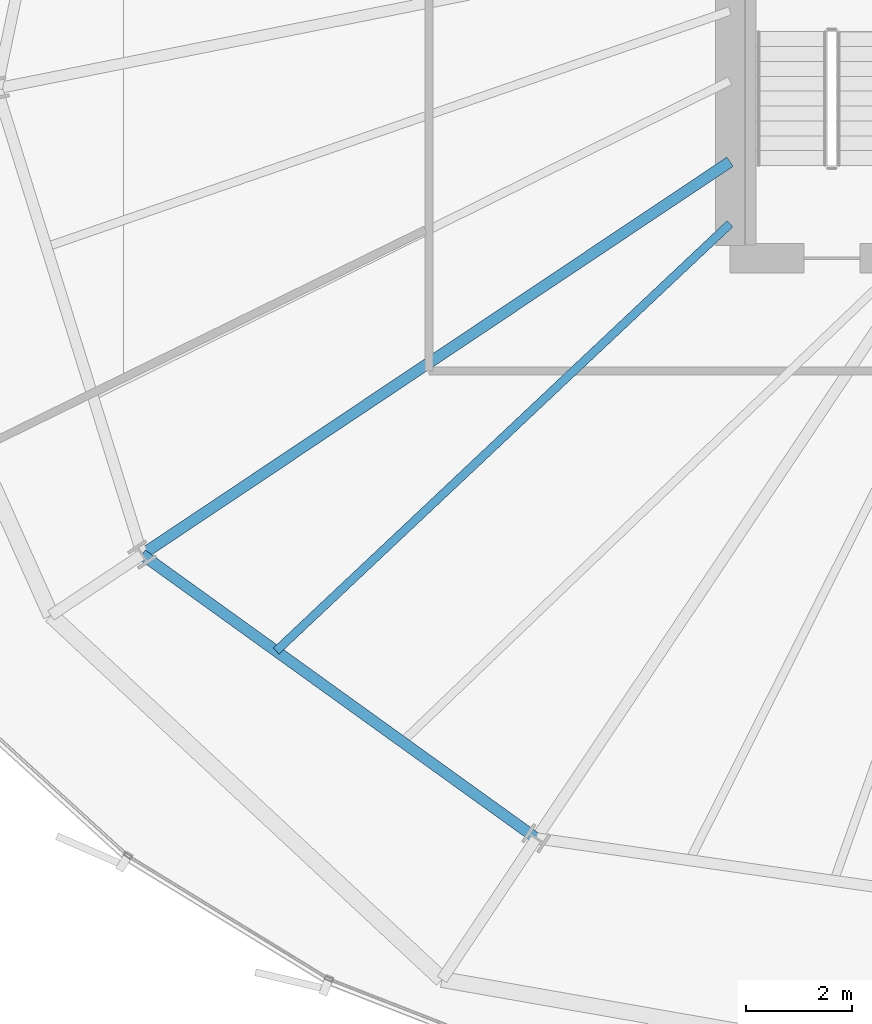
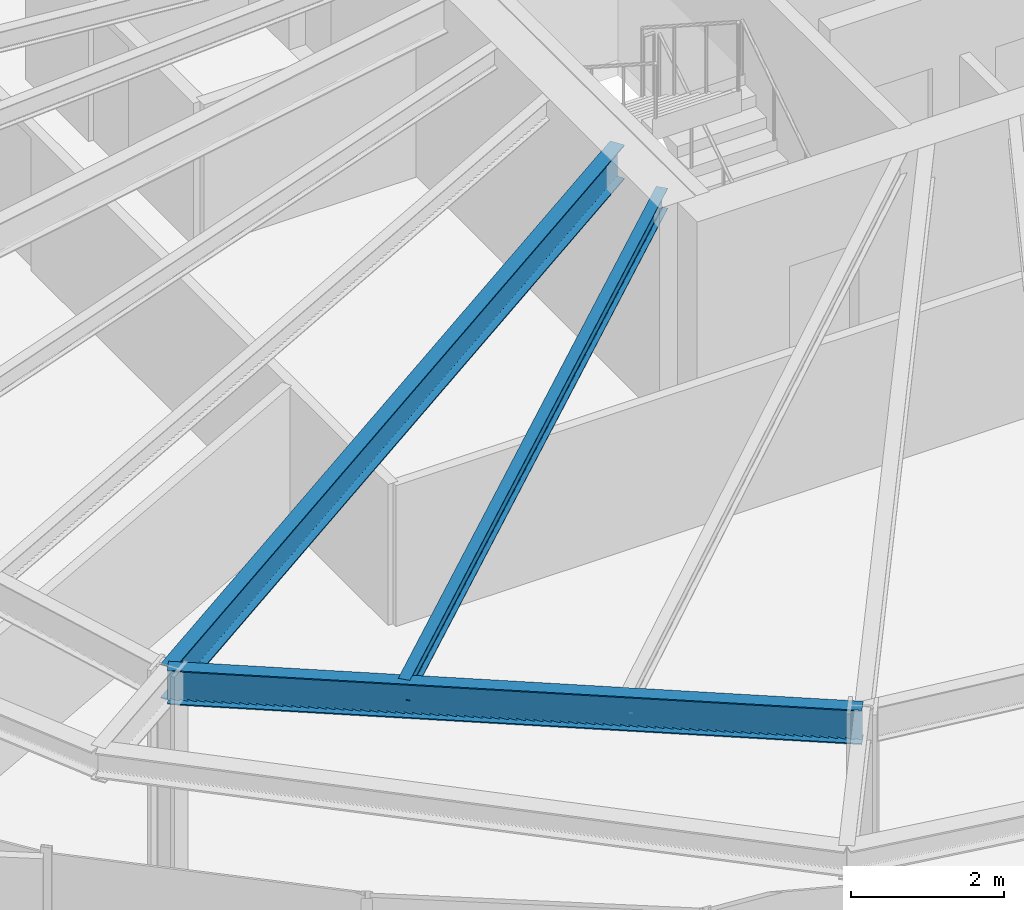
# One storey, part 4 of 35: 3 beams.
"""IFC4 building model written with IfcOpenShell, lengths in metres."""

from ifc_helpers import new_model, si_unit, direction, frame, origin, origin_2d, place, context, subcontext, project, spatial, i_section, extrude, source, transform, mapped, material, material_profile, profile_set, type_object, element, save


model = new_model("IFC4")

# Units and contexts
model_context = context("Model", 3, precision=1e-05, world=origin(), true_north=direction((0.0, 1.0)))
body_context = subcontext(model_context, "Body", "Model", "MODEL_VIEW")
ifc_project = project(units=[si_unit("LENGTHUNIT", "METRE"), si_unit("AREAUNIT", "SQUARE_METRE"), si_unit("VOLUMEUNIT", "CUBIC_METRE"), si_unit("PLANEANGLEUNIT", "RADIAN"), si_unit("MASSUNIT", "GRAM", prefix="KILO"), si_unit("THERMODYNAMICTEMPERATUREUNIT", "KELVIN")], contexts=[model_context])

# Site, building, storey
site_placement = place(None, origin())
site = spatial("IfcSite", under=ifc_project, at=site_placement, CompositionType="ELEMENT")
building_placement = place(site_placement, origin())
building = spatial("IfcBuilding", under=site, at=building_placement, Name="Kethvar Cultural Tower", CompositionType="ELEMENT")
storey_placement = place(building_placement, frame((0.0, 0.0, 107.199951171875)))
storey = spatial("IfcBuildingStorey", under=building, at=storey_placement, Name="L26", CompositionType="ELEMENT", Elevation=107.199951171875)

# Beams
ifc_material = material(Name="Steel S355J2", Category="steel")
ifc_material_profile_1 = material_profile(ifc_material, i_section(OverallWidth=0.2099609375, OverallDepth=0.550048828125, WebThickness=0.010986328125, FlangeThickness=0.01708984375, FilletRadius=0.02392578125, at=origin_2d()), Name="Steel S355J2 — IPE550")
ifc_profile_set_1 = profile_set([ifc_material_profile_1], Name="Steel S355J2 — IPE550")
beam_type_1 = type_object("IfcBeamType", Name="BM-IPE550", PredefinedType="BEAM", material=ifc_profile_set_1)
shared_shape_1 = source(origin(), body_context, "Body", "SweptSolid", [
    extrude(i_section(OverallWidth=0.2099609375, OverallDepth=0.550048828125, WebThickness=0.010986328125, FlangeThickness=0.01708984375, FilletRadius=0.02392578125, at=origin_2d()), origin(), (0.0, 0.0, 1.0), 13.324951171875),
])
beam_1_placement = place(storey_placement, frame((38.0, 21.919921875, 3.072998046875), z_axis=(-0.831474815475, -0.555562445843, 0.0), x_axis=(0.555562445843, -0.831474815475, 0.0)))
element("IfcBeam", 1, at=beam_1_placement, inside=storey, type_object=beam_type_1, Name="L26 Primary Radial Beam RB-10", PredefinedType="BEAM", context=body_context, shape_type="MappedRepresentation", body=[
    mapped(shared_shape_1, transform((0.0, 0.0, 0.0), scale=1.0)),
])
shared_shape_2 = source(origin(), body_context, "Body", "SweptSolid", [
    extrude(i_section(OverallWidth=0.2099609375, OverallDepth=0.550048828125, WebThickness=0.010986328125, FlangeThickness=0.01708984375, FilletRadius=0.02392578125, at=origin_2d()), origin(), (0.0, 0.0, 1.0), 9.155029296875),
])
beam_2_placement = place(storey_placement, frame((26.920654296875, 14.51708984375, 3.072998046875), z_axis=(0.811590987974, -0.584226042076, 0.0), x_axis=(0.584226042076, 0.811590987974, 0.0)))
element("IfcBeam", 2, at=beam_2_placement, inside=storey, type_object=beam_type_1, Name="L26 Column Ring Tie Beam CR-10", PredefinedType="BEAM", context=body_context, shape_type="MappedRepresentation", body=[
    mapped(shared_shape_2, transform((0.0, 0.0, 0.0), scale=1.0)),
])
ifc_material_profile_2 = material_profile(ifc_material, i_section(OverallWidth=0.159912109375, OverallDepth=0.330078125, WebThickness=0.007568359375, FlangeThickness=0.011474609375, FilletRadius=0.01806640625, at=origin_2d()), Name="Steel S355J2 — IPE330")
ifc_profile_set_2 = profile_set([ifc_material_profile_2], Name="Steel S355J2 — IPE330")
beam_type_2 = type_object("IfcBeamType", Name="BM-J330", PredefinedType="JOIST", material=ifc_profile_set_2)
shared_shape_3 = source(origin(), body_context, "Body", "SweptSolid", [
    extrude(i_section(OverallWidth=0.159912109375, OverallDepth=0.330078125, WebThickness=0.007568359375, FlangeThickness=0.011474609375, FilletRadius=0.01806640625, at=origin_2d()), origin(), (0.0, 0.0, 1.0), 11.74658203125),
])
beam_3_placement = place(storey_placement, frame((38.0, 20.75, 3.18310546875), z_axis=(-0.728129818661, -0.685439251266, 0.0), x_axis=(0.685439251266, -0.728129818661, 0.0)))
element("IfcBeam", 3, at=beam_3_placement, inside=storey, type_object=beam_type_2, Name="L26 Composite Floor Joist J-10A", PredefinedType="JOIST", context=body_context, shape_type="MappedRepresentation", body=[
    mapped(shared_shape_3, transform((0.0, 0.0, 0.0), scale=1.0)),
])

save(model, "model.ifc")
